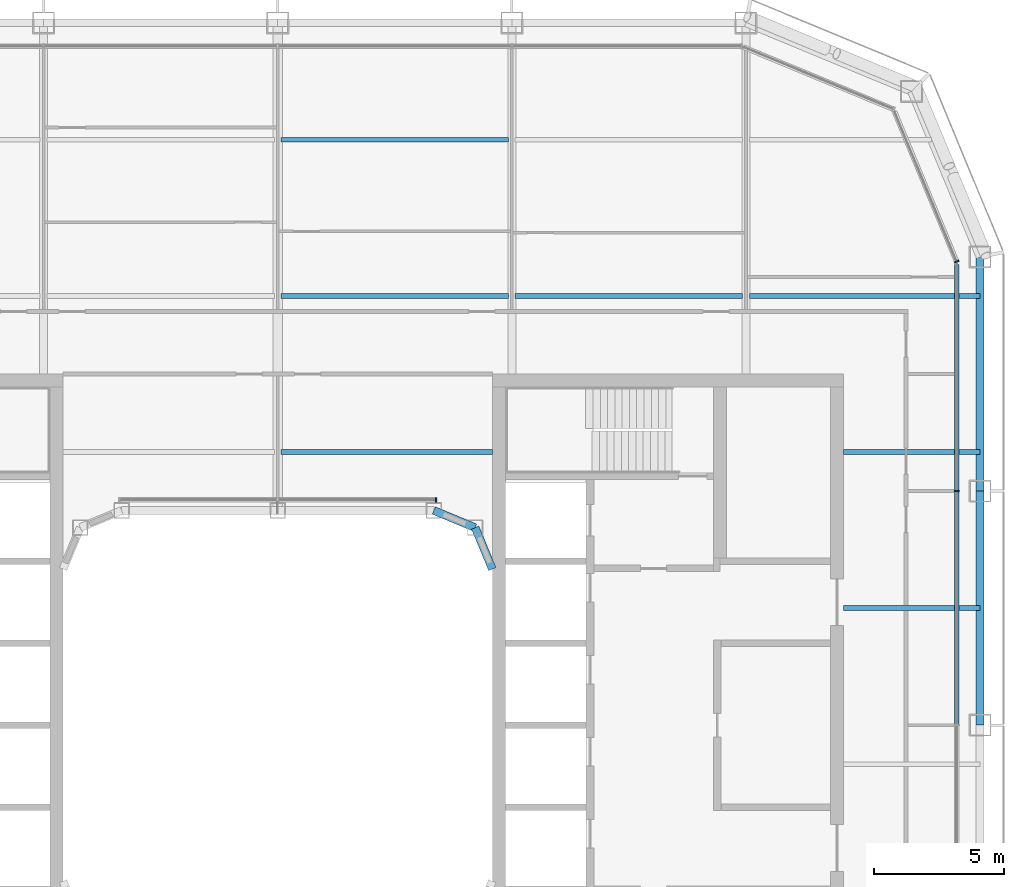
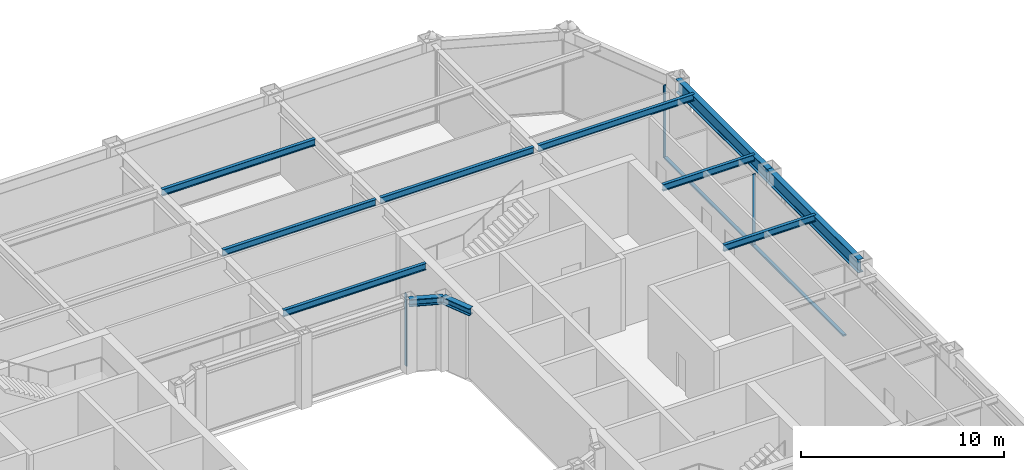
# One storey, part 9 of 24: 11 beams, 5 members, 3 elements without a shape of their own.
"""IFC4 building model written with IfcOpenShell, lengths in metres."""

import ifcopenshell
import ifcopenshell.guid

model = None  # the IFC model being written
_history = None  # IfcOwnerHistory: only IFC2X3 demands one
_inside = {}  # id of a spatial element -> (the spatial element, [elements in it])
_under = {}  # id of a project, library or spatial element -> (it, [spatial elements below it])
_declared = {}  # id of a project -> (the project, [libraries it declares])
_typed = {}  # id of a type object -> (the type object, [elements of that type])
_made_of = {}  # id of a material, layer set ... -> (it, [elements and type objects made of it])


def new_model(schema):
    """Start an empty IFC model of exactly this schema.

    Asked for "IFC4X3", IfcOpenShell would pick the latest addendum, in which some entities
    have other attributes; the version numbers below select the first issue.
    IFC2X3 requires an IfcOwnerHistory on every rooted entity: one is made here for all.
    """
    global model, _history
    if schema == "IFC4X3":
        model = ifcopenshell.file(schema_version=(4, 3, 0, 0))
    else:
        model = ifcopenshell.file(schema=schema)
    _inside.clear()
    _under.clear()
    _declared.clear()
    _typed.clear()
    _made_of.clear()
    _history = None
    if model.schema == "IFC2X3":
        org = make("IfcOrganization", Name="unknown")
        user = make(
            "IfcPersonAndOrganization",
            ThePerson=make("IfcPerson", FamilyName="unknown"),
            TheOrganization=org,
        )
        app = make(
            "IfcApplication",
            ApplicationDeveloper=org,
            Version="unknown",
            ApplicationFullName="unknown",
            ApplicationIdentifier="unknown",
        )
        _history = make(
            "IfcOwnerHistory",
            OwningUser=user,
            OwningApplication=app,
            ChangeAction="ADDED",
            CreationDate=0,
        )
    return model


def make(cls, **values):
    """One entity of the class cls with the attributes given. An attribute that is None is left unset."""
    return model.create_entity(
        cls, **{name: value for name, value in values.items() if value is not None}
    )


def rooted(cls, **values):
    """An entity with a GlobalId (a new one), such as an element, a storey or a relation."""
    return make(cls, GlobalId=ifcopenshell.guid.new(), OwnerHistory=_history, **values)


def si_unit(unit_type, name, prefix=None):
    """IfcSIUnit, for example si_unit("LENGTHUNIT", "METRE", prefix="MILLI")."""
    return make("IfcSIUnit", UnitType=unit_type, Prefix=prefix, Name=name)


def assignment(units):
    """IfcUnitAssignment: the units of a project."""
    return None if units is None else make("IfcUnitAssignment", Units=units)


def point(xyz):
    """IfcCartesianPoint."""
    return None if xyz is None else make("IfcCartesianPoint", Coordinates=xyz)


def direction(xyz):
    """IfcDirection."""
    return None if xyz is None else make("IfcDirection", DirectionRatios=xyz)


def frame(location, z_axis=None, x_axis=None):
    """IfcAxis2Placement3D, a coordinate frame: its origin and axes. An axis left out is left unset."""
    return make(
        "IfcAxis2Placement3D",
        Location=point(location),
        Axis=direction(z_axis),
        RefDirection=direction(x_axis),
    )


def frame_2d(location, x_axis=None):
    """IfcAxis2Placement2D, a coordinate frame in the plane: its origin and x axis."""
    return make(
        "IfcAxis2Placement2D", Location=point(location), RefDirection=direction(x_axis)
    )


def origin():
    """The frame at (0, 0, 0) with its axes left unset."""
    return frame((0.0, 0.0, 0.0))


def origin_2d():
    """The frame at (0, 0) in the plane with its x axis left unset."""
    return frame_2d((0.0, 0.0))


def place(relative_to, where):
    """IfcLocalPlacement: puts the frame where relative to a parent placement (None: the world)."""
    return make(
        "IfcLocalPlacement", PlacementRelTo=relative_to, RelativePlacement=where
    )


def context(
    kind, dimensions, precision=None, world=None, true_north=None, identifier=None
):
    """IfcGeometricRepresentationContext, for example the 3D "Model" context."""
    return make(
        "IfcGeometricRepresentationContext",
        ContextIdentifier=identifier,
        ContextType=kind,
        CoordinateSpaceDimension=dimensions,
        Precision=precision,
        WorldCoordinateSystem=world,
        TrueNorth=true_north,
    )


def subcontext(parent, identifier, kind, view, scale=None):
    """IfcGeometricRepresentationSubContext, for example "Body" below "Model"."""
    return make(
        "IfcGeometricRepresentationSubContext",
        ContextIdentifier=identifier,
        ContextType=kind,
        ParentContext=parent,
        TargetScale=scale,
        TargetView=view,
    )


def project(units=None, contexts=None):
    """IfcProject with its units and contexts."""
    return rooted(
        "IfcProject",
        Name="project",
        RepresentationContexts=contexts,
        UnitsInContext=assignment(units),
    )


def spatial(cls, under=None, at=None, **own):
    """A site, building, storey or space (cls), placed at a placement, below another one or the project."""
    s = rooted(cls, ObjectPlacement=at, **own)
    if under is not None:
        _under.setdefault(under.id(), (under, []))[1].append(s)
    return s


def profile(cls, at=None, kind="AREA", **sizes):
    """A parametric profile (cls). Its sizes go by their IFC names, for example OverallWidth=200.0."""
    return make(cls, ProfileType=kind, Position=at, **sizes)


def rectangle(**sizes):
    """IfcRectangleProfileDef."""
    return profile("IfcRectangleProfileDef", **sizes)


def i_section(**sizes):
    """IfcIShapeProfileDef."""
    return profile("IfcIShapeProfileDef", **sizes)


def extrude(swept, where, along, depth):
    """IfcExtrudedAreaSolid: the profile swept, set in the frame where, extruded along a direction by depth."""
    return make(
        "IfcExtrudedAreaSolid",
        SweptArea=swept,
        Position=where,
        ExtrudedDirection=direction(along),
        Depth=depth,
    )


def shape(context_of_items, identifier, shape_type, items):
    """IfcShapeRepresentation: the items that make up one representation, for example the "Body"."""
    return make(
        "IfcShapeRepresentation",
        ContextOfItems=context_of_items,
        RepresentationIdentifier=identifier,
        RepresentationType=shape_type,
        Items=items,
    )


def material(Name=None, Category=None):
    """IfcMaterial."""
    return make("IfcMaterial", Name=Name, Category=Category)


def layer(
    of_material, thickness, ventilated=None, Name=None, Category=None, Priority=None
):
    """IfcMaterialLayer: one layer of a wall or slab, of a material (None: an air gap)."""
    return make(
        "IfcMaterialLayer",
        Material=of_material,
        LayerThickness=thickness,
        IsVentilated=ventilated,
        Name=Name,
        Category=Category,
        Priority=Priority,
    )


def layer_set(layers, Name=None):
    """IfcMaterialLayerSet."""
    return make("IfcMaterialLayerSet", MaterialLayers=layers, LayerSetName=Name)


def material_profile(
    of_material, cross_section, Name=None, Category=None, Priority=None
):
    """IfcMaterialProfile: a cross section and its material."""
    return make(
        "IfcMaterialProfile",
        Name=Name,
        Material=of_material,
        Profile=cross_section,
        Priority=Priority,
        Category=Category,
    )


def profile_set(profiles, Name=None, composite=None):
    """IfcMaterialProfileSet."""
    return make(
        "IfcMaterialProfileSet",
        Name=Name,
        MaterialProfiles=profiles,
        CompositeProfile=composite,
    )


def made_of(thing, what):
    """Note that an element or type object is made of a material, layer set ...; save() writes the relation."""
    if what is not None:
        _made_of.setdefault(what.id(), (what, []))[1].append(thing)
    return thing


def type_object(cls, material=None, **own):
    """A type object (cls), such as IfcWallType, which elements share."""
    return made_of(rooted(cls, **own), material)


def element(
    cls,
    number,
    at=None,
    inside=None,
    cuts=None,
    type_object=None,
    material=None,
    context=None,
    identifier="Body",
    shape_type=None,
    held_by="IfcProductDefinitionShape",
    body=None,
    shapes=None,
    **own,
):
    """One element of the class cls, such as IfcWall. Its Tag is "e" and its number.

    at: its placement. inside: the storey or other place that contains it. cuts: it is an
    opening in that element (IfcRelVoidsElement). A single representation is given by context,
    identifier, shape_type and body (its items); several are given by shapes. held_by: the class
    of the entity that holds the representations. save() writes the other relations.
    """
    e = rooted(cls, Tag="e%d" % number, ObjectPlacement=at, **own)
    if body is not None:
        shapes = [shape(context, identifier, shape_type, body)]
    if shapes is not None:
        e.Representation = make(held_by, Representations=shapes)
    if inside is not None:
        _inside.setdefault(inside.id(), (inside, []))[1].append(e)
    if cuts is not None:
        rooted(
            "IfcRelVoidsElement", RelatingBuildingElement=cuts, RelatedOpeningElement=e
        )
    if type_object is not None:
        _typed.setdefault(type_object.id(), (type_object, []))[1].append(e)
    return made_of(e, material)


def aggregate(whole, parts):
    """IfcRelAggregates: a whole, such as a stair, and the parts it consists of."""
    return rooted("IfcRelAggregates", RelatingObject=whole, RelatedObjects=parts)


def save(model, path):
    """Write the relations noted so far, then the file.

    IfcRelAggregates (storeys below a building ...), IfcRelContainedInSpatialStructure (elements
    in a storey), IfcRelDefinesByType, IfcRelAssociatesMaterial and IfcRelDeclares: one each for
    every whole, place, type object, material and project.
    """
    for whole, parts in _under.values():
        aggregate(whole, parts)
    for where, things in _inside.values():
        rooted(
            "IfcRelContainedInSpatialStructure",
            RelatedElements=things,
            RelatingStructure=where,
        )
    for kind, things in _typed.values():
        rooted("IfcRelDefinesByType", RelatedObjects=things, RelatingType=kind)
    for what, things in _made_of.values():
        rooted("IfcRelAssociatesMaterial", RelatedObjects=things, RelatingMaterial=what)
    for by, libraries in _declared.values():
        rooted("IfcRelDeclares", RelatingContext=by, RelatedDefinitions=libraries)
    model.write(path)


model = new_model("IFC4")

# Units and contexts
model_context = context("Model", 3, precision=1e-05, world=origin(), true_north=direction((0.0, 1.0)))
body_context = subcontext(model_context, "Body", "Model", "MODEL_VIEW")
ifc_project = project(units=[si_unit("LENGTHUNIT", "METRE"), si_unit("AREAUNIT", "SQUARE_METRE"), si_unit("VOLUMEUNIT", "CUBIC_METRE"), si_unit("PLANEANGLEUNIT", "RADIAN"), si_unit("MASSUNIT", "GRAM", prefix="KILO")], contexts=[model_context])

# Site, building, storey
site_placement = place(None, origin())
site = spatial("IfcSite", under=ifc_project, at=site_placement, CompositionType="ELEMENT")
building_placement = place(site_placement, origin())
building = spatial("IfcBuilding", under=site, at=building_placement, Name="Siwar Civic Tower", CompositionType="ELEMENT")
storey_placement = place(building_placement, frame((0.0, 0.0, 215.199951171875)))
storey = spatial("IfcBuildingStorey", under=building, at=storey_placement, Name="L46", CompositionType="ELEMENT", Elevation=215.199951171875)

# Curtain wall, member
ifc_material_1 = material(Name="Aluminium and glass", Category="aluminium")
ifc_layer_1 = layer(ifc_material_1, 0.179931640625)
ifc_layer_set_1 = layer_set([ifc_layer_1], Name="Aluminium and glass")
curtain_wall_type_1 = type_object("IfcCurtainWallType", Name="ENV-CW-C", PredefinedType="NOTDEFINED", material=ifc_layer_set_1)
curtain_wall_1_placement = place(storey_placement, origin())
curtain_wall_1 = element("IfcCurtainWall", 1, at=curtain_wall_1_placement, inside=storey, type_object=curtain_wall_type_1, Name="Curtain wall C E", PredefinedType="NOTDEFINED")
ifc_material_2 = material(Name="Aluminium 6063-T6", Category="aluminium")
ifc_material_profile_1 = material_profile(ifc_material_2, rectangle(XDim=0.179931640625, YDim=0.06005859375, at=origin_2d()), Name="AL 180x60")
ifc_profile_set_1 = profile_set([ifc_material_profile_1], Name="Aluminium 6063-T6")
member_type_1 = type_object("IfcMemberType", Name="ENV-MULLION-C", PredefinedType="MULLION", material=ifc_profile_set_1)
member_1_placement = place(storey_placement, frame((26.10009765625, 9.0, 0.0), z_axis=(0.0, 0.0, 1.0), x_axis=(-1.0, 0.0, 0.0)))
member_1 = element("IfcMember", 2, at=member_1_placement, type_object=member_type_1, Name="Mullion C E 4", PredefinedType="MULLION", context=body_context, shape_type="SweptSolid", body=[
    extrude(rectangle(XDim=0.179931640625, YDim=0.06005859375, at=origin_2d()), origin(), (0.0, 0.0, 1.0), 4.35009765625),
])

ifc_material_3 = material(Name="Aluminium clad insulated panel", Category="aluminium")
ifc_layer_2 = layer(ifc_material_3, 0.179931640625)
ifc_layer_set_2 = layer_set([ifc_layer_2], Name="Aluminium clad insulated panel")
curtain_wall_type_2 = type_object("IfcCurtainWallType", Name="ENV-CW-CX", PredefinedType="NOTDEFINED", material=ifc_layer_set_2)
curtain_wall_2_placement = place(storey_placement, origin())
curtain_wall_2 = element("IfcCurtainWall", 3, at=curtain_wall_2_placement, inside=storey, type_object=curtain_wall_type_2, Name="Curtain wall C NE1", PredefinedType="NOTDEFINED")
member_2_placement = place(storey_placement, frame((26.10009765625, 17.821044921875, 0.0), z_axis=(0.0, 0.0, 1.0), x_axis=(-0.923879532511, -0.382683432365, 0.0)))
member_2 = element("IfcMember", 4, at=member_2_placement, type_object=member_type_1, Name="Mullion C NE1 1", PredefinedType="MULLION", context=body_context, shape_type="SweptSolid", body=[
    extrude(rectangle(XDim=0.179931640625, YDim=0.06005859375, at=origin_2d()), origin(), (0.0, 0.0, 1.0), 4.35009765625),
])
aggregate(curtain_wall_2, [member_2])

ifc_material_4 = material(Name="Aluminium and glass", Category="aluminium")
ifc_layer_3 = layer(ifc_material_4, 0.179931640625)
ifc_layer_set_3 = layer_set([ifc_layer_3], Name="Aluminium and glass")
curtain_wall_type_3 = type_object("IfcCurtainWallType", Name="ENV-CW-W", PredefinedType="NOTDEFINED", material=ifc_layer_set_3)
curtain_wall_3_placement = place(storey_placement, origin())
curtain_wall_3 = element("IfcCurtainWall", 5, at=curtain_wall_3_placement, inside=storey, type_object=curtain_wall_type_3, Name="Curtain wall W WN", PredefinedType="NOTDEFINED")
ifc_material_5 = material(Name="Aluminium 6063-T6", Category="aluminium")
ifc_material_profile_2 = material_profile(ifc_material_5, rectangle(XDim=0.179931640625, YDim=0.06005859375, at=origin_2d()), Name="AL 180x60")
ifc_profile_set_2 = profile_set([ifc_material_profile_2], Name="Aluminium 6063-T6")
member_type_2 = type_object("IfcMemberType", Name="ENV-MULLION-W", PredefinedType="MULLION", material=ifc_profile_set_2)
member_3_placement = place(storey_placement, frame((6.08154296875, 8.659912109375, 0.0), z_axis=(0.0, 0.0, 1.0), x_axis=(0.0, -1.0, 0.0)))
member_3 = element("IfcMember", 6, at=member_3_placement, type_object=member_type_2, Name="Mullion W WN 1", PredefinedType="MULLION", context=body_context, shape_type="SweptSolid", body=[
    extrude(rectangle(XDim=0.179931640625, YDim=0.06005859375, at=origin_2d()), origin(), (0.0, 0.0, 1.0), 4.35009765625),
])
aggregate(curtain_wall_3, [member_3])

# Member
ifc_material_6 = material(Name="Aluminium 6063-T6", Category="aluminium")
ifc_material_profile_3 = material_profile(ifc_material_6, rectangle(XDim=0.179931640625, YDim=0.10009765625, at=origin_2d()), Name="AL 180x100")
ifc_profile_set_3 = profile_set([ifc_material_profile_3], Name="Aluminium 6063-T6")
member_type_3 = type_object("IfcMemberType", Name="ENV-TRANSOM-C", PredefinedType="USERDEFINED", material=ifc_profile_set_3)
member_4_placement = place(storey_placement, frame((26.10009765625, 0.030029296875, 0.050048828125), z_axis=(0.0, 1.0, 0.0), x_axis=(-1.0, 0.0, 0.0)))
member_4 = element("IfcMember", 7, at=member_4_placement, type_object=member_type_3, Name="Transom C E 3", ObjectType="TRANSOM", PredefinedType="USERDEFINED", context=body_context, shape_type="SweptSolid", body=[
    extrude(rectangle(XDim=0.179931640625, YDim=0.10009765625, at=origin_2d()), origin(), (0.0, 0.0, 1.0), 8.93994140625),
])

member_5_placement = place(storey_placement, frame((26.10009765625, 9.030029296875, 0.050048828125), z_axis=(0.0, 1.0, 0.0), x_axis=(-1.0, 0.0, 0.0)))
member_5 = element("IfcMember", 8, at=member_5_placement, type_object=member_type_3, Name="Transom C E 4", ObjectType="TRANSOM", PredefinedType="USERDEFINED", context=body_context, shape_type="SweptSolid", body=[
    extrude(rectangle(XDim=0.179931640625, YDim=0.10009765625, at=origin_2d()), origin(), (0.0, 0.0, 1.0), 8.68603515625),
])

aggregate(curtain_wall_1, [member_1, member_4, member_5])

# Beams
ifc_material_7 = material(Name="Steel S355", Category="steel")
ifc_material_profile_4 = material_profile(ifc_material_7, i_section(OverallWidth=0.179931640625, OverallDepth=0.39990234375, WebThickness=0.008544921875, FlangeThickness=0.013427734375, FilletRadius=0.02099609375, at=origin_2d()), Name="IPE400")
ifc_profile_set_4 = profile_set([ifc_material_profile_4], Name="Steel S355")
beam_type_1 = type_object("IfcBeamType", Name="STR-FB-IPE400", PredefinedType="JOIST", material=ifc_profile_set_4)
beam_1_placement = place(storey_placement, frame((21.75, 4.5, 4.150146484375), z_axis=(1.0, 0.0, 0.0), x_axis=(0.0, 1.0, 0.0)))
element("IfcBeam", 9, at=beam_1_placement, inside=storey, type_object=beam_type_1, Name="L46/bm/F026", PredefinedType="JOIST", context=body_context, shape_type="SweptSolid", body=[
    extrude(i_section(OverallWidth=0.179931640625, OverallDepth=0.39990234375, WebThickness=0.008544921875, FlangeThickness=0.013427734375, FilletRadius=0.02099609375, at=origin_2d()), origin(), (0.0, 0.0, 1.0), 5.25),
])
beam_2_placement = place(storey_placement, frame((0.1298828125, 10.5, 4.150146484375), z_axis=(1.0, 0.0, 0.0), x_axis=(0.0, 1.0, 0.0)))
element("IfcBeam", 10, at=beam_2_placement, inside=storey, type_object=beam_type_1, Name="L46/bm/F029", PredefinedType="JOIST", context=body_context, shape_type="SweptSolid", body=[
    extrude(i_section(OverallWidth=0.179931640625, OverallDepth=0.39990234375, WebThickness=0.008544921875, FlangeThickness=0.013427734375, FilletRadius=0.02099609375, at=origin_2d()), origin(), (0.0, 0.0, 1.0), 8.1201171875),
])
beam_3_placement = place(storey_placement, frame((21.75, 10.5, 4.150146484375), z_axis=(1.0, 0.0, 0.0), x_axis=(0.0, 1.0, 0.0)))
element("IfcBeam", 11, at=beam_3_placement, inside=storey, type_object=beam_type_1, Name="L46/bm/F030", PredefinedType="JOIST", context=body_context, shape_type="SweptSolid", body=[
    extrude(i_section(OverallWidth=0.179931640625, OverallDepth=0.39990234375, WebThickness=0.008544921875, FlangeThickness=0.013427734375, FilletRadius=0.02099609375, at=origin_2d()), origin(), (0.0, 0.0, 1.0), 5.25),
])
for number, where, z_axis, x_axis, name in (
    (12, (0.1298828125, 16.5, 4.150146484375), (1.0, 0.0, 0.0), (0.0, 1.0, 0.0), "L46/bm/F034"),
    (13, (9.1298828125, 16.5, 4.150146484375), (1.0, 0.0, 0.0), (0.0, 1.0, 0.0), "L46/bm/F035"),
):
    element("IfcBeam", number, at=place(storey_placement, frame(where, z_axis=z_axis, x_axis=x_axis)), inside=storey, type_object=beam_type_1, Name=name, PredefinedType="JOIST", context=body_context, shape_type="SweptSolid", body=[
        extrude(i_section(OverallWidth=0.179931640625, OverallDepth=0.39990234375, WebThickness=0.008544921875, FlangeThickness=0.013427734375, FilletRadius=0.02099609375, at=origin_2d()), origin(), (0.0, 0.0, 1.0), 8.740234375),
    ])
beam_4_placement = place(storey_placement, frame((18.1298828125, 16.5, 4.150146484375), z_axis=(1.0, 0.0, 0.0), x_axis=(0.0, 1.0, 0.0)))
element("IfcBeam", 14, at=beam_4_placement, inside=storey, type_object=beam_type_1, Name="L46/bm/F036", PredefinedType="JOIST", context=body_context, shape_type="SweptSolid", body=[
    extrude(i_section(OverallWidth=0.179931640625, OverallDepth=0.39990234375, WebThickness=0.008544921875, FlangeThickness=0.013427734375, FilletRadius=0.02099609375, at=origin_2d()), origin(), (0.0, 0.0, 1.0), 8.8701171875),
])
beam_5_placement = place(storey_placement, frame((0.1298828125, 22.5, 4.150146484375), z_axis=(1.0, 0.0, 0.0), x_axis=(0.0, 1.0, 0.0)))
element("IfcBeam", 15, at=beam_5_placement, inside=storey, type_object=beam_type_1, Name="L46/bm/F040", PredefinedType="JOIST", context=body_context, shape_type="SweptSolid", body=[
    extrude(i_section(OverallWidth=0.179931640625, OverallDepth=0.39990234375, WebThickness=0.008544921875, FlangeThickness=0.013427734375, FilletRadius=0.02099609375, at=origin_2d()), origin(), (0.0, 0.0, 1.0), 8.740234375),
])
ifc_material_8 = material(Name="Steel S355", Category="steel")
ifc_material_profile_5 = material_profile(ifc_material_8, i_section(OverallWidth=0.306884765625, OverallDepth=0.431884765625, WebThickness=0.02099609375, FlangeThickness=0.0400390625, FilletRadius=0.027099609375, at=origin_2d()), Name="HEM400")
ifc_profile_set_5 = profile_set([ifc_material_profile_5], Name="Steel S355")
beam_type_2 = type_object("IfcBeamType", Name="STR-RB-HEM400", PredefinedType="BEAM", material=ifc_profile_set_5)
for number, where, z_axis, x_axis, name in (
    (16, (6.0, 8.25, 4.134033203125), (0.923901072997, -0.382631424892, 0.0), (0.382631424892, 0.923901072997, 0.0), "L46/bm/RN3"),
    (17, (7.591064453125, 7.591064453125, 4.134033203125), (0.382631424892, -0.923901072997, 0.0), (0.923901072997, 0.382631424892, 0.0), "L46/bm/RNEE"),
):
    element("IfcBeam", number, at=place(storey_placement, frame(where, z_axis=z_axis, x_axis=x_axis)), inside=storey, type_object=beam_type_2, Name=name, PredefinedType="BEAM", context=body_context, shape_type="SweptSolid", body=[
        extrude(i_section(OverallWidth=0.306884765625, OverallDepth=0.431884765625, WebThickness=0.02099609375, FlangeThickness=0.0400390625, FilletRadius=0.027099609375, at=origin_2d()), origin(), (0.0, 0.0, 1.0), 1.72216796875),
    ])
ifc_material_9 = material(Name="Steel S355", Category="steel")
ifc_material_profile_6 = material_profile(ifc_material_9, i_section(OverallWidth=0.300048828125, OverallDepth=0.800048828125, WebThickness=0.017578125, FlangeThickness=0.032958984375, FilletRadius=0.030029296875, at=origin_2d()), Name="HEB800")
ifc_profile_set_6 = profile_set([ifc_material_profile_6], Name="Steel S355")
beam_type_3 = type_object("IfcBeamType", Name="STR-SB-HEB800", PredefinedType="BEAM", material=ifc_profile_set_6)
for number, where, z_axis, x_axis, name in (
    (18, (27.0, 0.0, 3.949951171875), (0.0, 1.0, 0.0), (-1.0, 0.0, 0.0), "L46/bm/SE-2"),
    (19, (27.0, 9.0, 3.949951171875), (0.0, 1.0, 0.0), (-1.0, 0.0, 0.0), "L46/bm/SE-3"),
):
    element("IfcBeam", number, at=place(storey_placement, frame(where, z_axis=z_axis, x_axis=x_axis)), inside=storey, type_object=beam_type_3, Name=name, PredefinedType="BEAM", context=body_context, shape_type="SweptSolid", body=[
        extrude(i_section(OverallWidth=0.300048828125, OverallDepth=0.800048828125, WebThickness=0.017578125, FlangeThickness=0.032958984375, FilletRadius=0.030029296875, at=origin_2d()), origin(), (0.0, 0.0, 1.0), 9.0),
    ])

save(model, "model.ifc")
